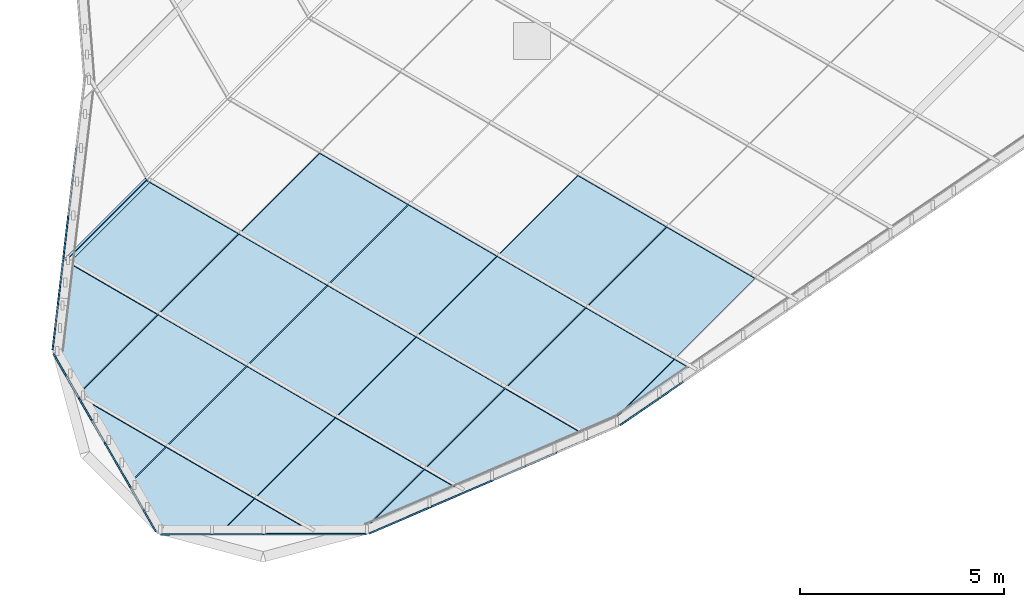
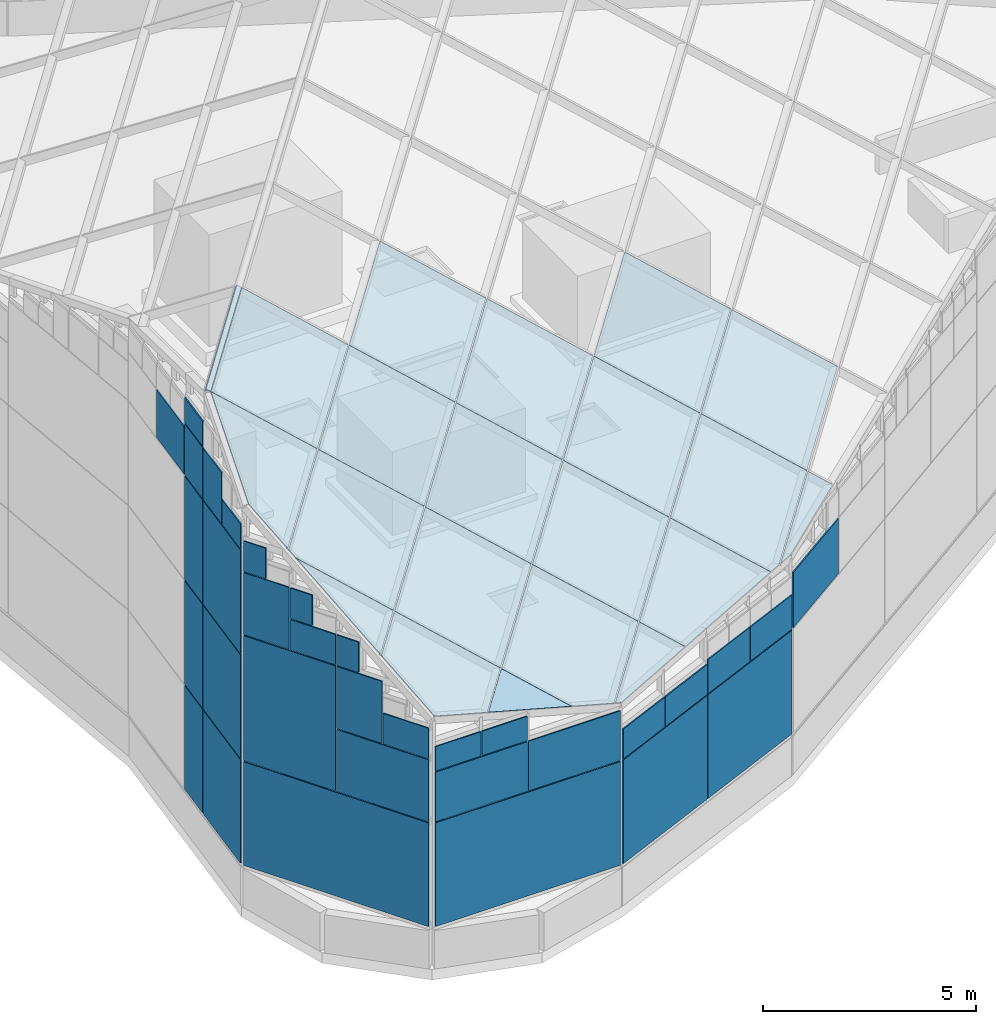
# One storey, part 14 of 29: 55 plates, 1 element without a shape of its own.
"""IFC4 building model written with IfcOpenShell, lengths in metres."""

from ifc_helpers import new_model, si_unit, direction, frame, origin, place, context, subcontext, project, spatial, polyline, outline, extrude, material, layer, layer_set, type_object, element, aggregate, save


model = new_model("IFC4")

# Units and contexts
model_context = context("Model", 3, precision=1e-05, world=origin(), true_north=direction((0.0, 1.0)))
body_context = subcontext(model_context, "Body", "Model", "MODEL_VIEW")
ifc_project = project(units=[si_unit("LENGTHUNIT", "METRE"), si_unit("AREAUNIT", "SQUARE_METRE"), si_unit("VOLUMEUNIT", "CUBIC_METRE"), si_unit("PLANEANGLEUNIT", "RADIAN"), si_unit("MASSUNIT", "GRAM", prefix="KILO")], contexts=[model_context])

# Site, building, storey
site_placement = place(None, origin())
site = spatial("IfcSite", under=ifc_project, at=site_placement, CompositionType="ELEMENT")
building_placement = place(site_placement, origin())
building = spatial("IfcBuilding", under=site, at=building_placement, Name="Tanit Gate Tower", CompositionType="ELEMENT")
storey_placement = place(building_placement, frame((0.0, 0.0, 445.300048828125)))
storey = spatial("IfcBuildingStorey", under=building, at=storey_placement, Name="ROOF", CompositionType="ELEMENT", Elevation=445.300048828125)

# Curtain wall, plates
ifc_material_1 = material(Name="Aluminium bronze anodised and glass", Category="aluminium")
curtain_wall_type = type_object("IfcCurtainWallType", Name="Curtain wall crown roof", PredefinedType="NOTDEFINED", material=ifc_material_1)
curtain_wall_placement = place(storey_placement, origin())
curtain_wall = element("IfcCurtainWall", 1, at=curtain_wall_placement, inside=storey, type_object=curtain_wall_type, Name="Crown lantern", PredefinedType="NOTDEFINED")
ifc_material_2 = material(Name="Glass tinted laminated safety", Category="glass")
ifc_layer = layer(ifc_material_2, 0.033935546875)
ifc_layer_set = layer_set([ifc_layer], Name="Glass panel 34 crown roof")
plate_type = type_object("IfcPlateType", Name="Glass panel 34 crown roof", PredefinedType="CURTAIN_PANEL", material=ifc_layer_set)
plate_1_placement = place(storey_placement, frame((-14.1650390625, -11.6103515625, 10.21484375), z_axis=(-0.993213563532, 0.116304846052, 0.0), x_axis=(-0.116304846052, -0.993213563532, 0.0)))
plate_1 = element("IfcPlate", 2, at=plate_1_placement, type_object=plate_type, Name="Lantern clerestory glass 18.4.4", PredefinedType="CURTAIN_PANEL", context=body_context, shape_type="SweptSolid", body=[
    extrude(outline(polyline([(0.0, 0.0), (1.6373323551294396, 0.0), (1.6373323551294396, 1.3732910156250002), (0.0, 1.3732910156250002), (0.0, 0.0)])), origin(), (0.0, 0.0, -1.0), 0.033935546875),
])
plate_2_placement = place(storey_placement, frame((-14.359130859375, -13.266357421875, 1.21484375), z_axis=(-0.993206997666, 0.116360903176, 0.0), x_axis=(-0.116360903176, -0.993206997666, 0.0)))
plate_2 = element("IfcPlate", 3, at=plate_2_placement, type_object=plate_type, Name="Lantern clerestory glass 19.1.1", PredefinedType="CURTAIN_PANEL", context=body_context, shape_type="SweptSolid", body=[
    extrude(outline(polyline([(0.0, 0.0), (1.0616551855285912, 0.0), (1.0616551855285912, 2.97021484375), (0.0, 2.97021484375), (0.0, 0.0)])), origin(), (0.0, 0.0, -1.0), 0.033935546875),
])
plate_3_placement = place(storey_placement, frame((-14.359130859375, -13.266357421875, 4.21484375), z_axis=(-0.993206997666, 0.116360903176, 0.0), x_axis=(-0.116360903176, -0.993206997666, 0.0)))
plate_3 = element("IfcPlate", 4, at=plate_3_placement, type_object=plate_type, Name="Lantern clerestory glass 19.2.1", PredefinedType="CURTAIN_PANEL", context=body_context, shape_type="SweptSolid", body=[
    extrude(outline(polyline([(0.0, 0.0), (1.0616551855285912, 0.0), (1.0616551855285912, 2.97021484375), (0.0, 2.97021484375), (0.0, 0.0)])), origin(), (0.0, 0.0, -1.0), 0.033935546875),
])
plate_4_placement = place(storey_placement, frame((-14.359130859375, -13.266357421875, 7.21484375), z_axis=(-0.993206997666, 0.116360903176, 0.0), x_axis=(-0.116360903176, -0.993206997666, 0.0)))
plate_4 = element("IfcPlate", 5, at=plate_4_placement, type_object=plate_type, Name="Lantern clerestory glass 19.3.1", PredefinedType="CURTAIN_PANEL", context=body_context, shape_type="SweptSolid", body=[
    extrude(outline(polyline([(0.0, 0.0), (1.0616551855285912, 0.0), (1.0616551855285912, 2.97021484375), (0.0, 2.97021484375), (0.0, 0.0)])), origin(), (0.0, 0.0, -1.0), 0.033935546875),
])
plate_5_placement = place(storey_placement, frame((-14.359130859375, -13.266357421875, 10.21484375), z_axis=(-0.993206997666, 0.116360903176, 0.0), x_axis=(-0.116360903176, -0.993206997666, 0.0)))
plate_5 = element("IfcPlate", 6, at=plate_5_placement, type_object=plate_type, Name="Lantern clerestory glass 19.4.1", PredefinedType="CURTAIN_PANEL", context=body_context, shape_type="SweptSolid", body=[
    extrude(outline(polyline([(0.0, 0.0), (1.0616551855285912, 0.0), (1.0616551855285912, 1.47021484375), (0.0, 1.47021484375), (0.0, 0.0)])), origin(), (0.0, 0.0, -1.0), 0.033935546875),
])
plate_6_placement = place(storey_placement, frame((-14.359130859375, -13.266357421875, 11.71484375), z_axis=(-0.993206997666, 0.116360903176, 0.0), x_axis=(-0.116360903176, -0.993206997666, 0.0)))
plate_6 = element("IfcPlate", 7, at=plate_6_placement, type_object=plate_type, Name="Lantern clerestory glass 19.4.2", PredefinedType="CURTAIN_PANEL", context=body_context, shape_type="SweptSolid", body=[
    extrude(outline(polyline([(0.0, 0.0), (1.0616551855285912, 0.0), (1.0616551855285912, 0.72021484375), (0.0, 0.72021484375), (0.0, 0.0)])), origin(), (0.0, 0.0, -1.0), 0.033935546875),
])
plate_7_placement = place(storey_placement, frame((-14.486083984375, -14.3505859375, 1.21484375), z_axis=(-0.993216712277, 0.116277953431, 0.0), x_axis=(-0.116277953431, -0.993216712277, 0.0)))
plate_7 = element("IfcPlate", 8, at=plate_7_placement, type_object=plate_type, Name="Lantern clerestory glass 20.1.1", PredefinedType="CURTAIN_PANEL", context=body_context, shape_type="SweptSolid", body=[
    extrude(outline(polyline([(0.0, 0.0), (2.2130095272324546, 0.0), (2.2130095272324546, 2.97021484375), (0.0, 2.97021484375), (0.0, 0.0)])), origin(), (0.0, 0.0, -1.0), 0.033935546875),
])
plate_8_placement = place(storey_placement, frame((-14.486083984375, -14.3505859375, 4.21484375), z_axis=(-0.993216712277, 0.116277953431, 0.0), x_axis=(-0.116277953431, -0.993216712277, 0.0)))
plate_8 = element("IfcPlate", 9, at=plate_8_placement, type_object=plate_type, Name="Lantern clerestory glass 20.2.1", PredefinedType="CURTAIN_PANEL", context=body_context, shape_type="SweptSolid", body=[
    extrude(outline(polyline([(0.0, 0.0), (2.2130095272324546, 0.0), (2.2130095272324546, 2.97021484375), (0.0, 2.97021484375), (0.0, 0.0)])), origin(), (0.0, 0.0, -1.0), 0.033935546875),
])
plate_9_placement = place(storey_placement, frame((-14.486083984375, -14.3505859375, 7.21484375), z_axis=(-0.993216712277, 0.116277953431, 0.0), x_axis=(-0.116277953431, -0.993216712277, 0.0)))
plate_9 = element("IfcPlate", 10, at=plate_9_placement, type_object=plate_type, Name="Lantern clerestory glass 20.3.1", PredefinedType="CURTAIN_PANEL", context=body_context, shape_type="SweptSolid", body=[
    extrude(outline(polyline([(0.0, 0.0), (2.2130095272324546, 0.0), (2.2130095272324546, 2.97021484375), (0.0, 2.97021484375), (0.0, 0.0)])), origin(), (0.0, 0.0, -1.0), 0.033935546875),
])
plate_10_placement = place(storey_placement, frame((-14.486083984375, -14.3505859375, 10.21484375), z_axis=(-0.993211546117, 0.116322072969, 0.0), x_axis=(-0.116322072969, -0.993211546117, 0.0)))
plate_10 = element("IfcPlate", 11, at=plate_10_placement, type_object=plate_type, Name="Lantern clerestory glass 20.4.1", PredefinedType="CURTAIN_PANEL", context=body_context, shape_type="SweptSolid", body=[
    extrude(outline(polyline([(0.0, 0.0), (1.0913932477303525, 0.0), (1.0913932477303525, 1.47021484375), (0.0, 1.47021484375), (0.0, 0.0)])), origin(), (0.0, 0.0, -1.0), 0.033935546875),
])
plate_11_placement = place(storey_placement, frame((-14.616455078125, -15.464599609375, 10.21484375), z_axis=(-0.993211546117, 0.116322072969, 0.0), x_axis=(-0.116322072969, -0.993211546117, 0.0)))
plate_11 = element("IfcPlate", 12, at=plate_11_placement, type_object=plate_type, Name="Lantern clerestory glass 20.4.2", PredefinedType="CURTAIN_PANEL", context=body_context, shape_type="SweptSolid", body=[
    extrude(outline(polyline([(0.0, 0.0), (1.0913932477303525, 0.0), (1.0913932477303525, 0.7202148437500001), (0.0, 0.7202148437500001), (0.0, 0.0)])), origin(), (0.0, 0.0, -1.0), 0.033935546875),
])
plate_12_placement = place(storey_placement, frame((-14.720703125, -16.6591796875, 1.21484375), z_axis=(-0.866254518353, -0.499602951786, 0.0), x_axis=(0.499602951786, -0.866254518353, 0.0)))
plate_12 = element("IfcPlate", 13, at=plate_12_placement, type_object=plate_type, Name="Lantern clerestory glass 21.1.1", PredefinedType="CURTAIN_PANEL", context=body_context, shape_type="SweptSolid", body=[
    extrude(outline(polyline([(0.0, 0.0), (5.011303677098957, 0.0), (5.011303677098957, 2.9702148437500004), (0.0, 2.9702148437500004), (0.0, 0.0)])), origin(), (0.0, 0.0, -1.0), 0.033935546875),
])
plate_13_placement = place(storey_placement, frame((-14.720703125, -16.6591796875, 4.21484375), z_axis=(-0.866239434465, -0.499629104614, 0.0), x_axis=(0.499629104614, -0.866239434465, 0.0)))
plate_13 = element("IfcPlate", 14, at=plate_13_placement, type_object=plate_type, Name="Lantern clerestory glass 21.2.1", PredefinedType="CURTAIN_PANEL", context=body_context, shape_type="SweptSolid", body=[
    extrude(outline(polyline([(0.0, 0.0), (2.4906170479947876, 0.0), (2.4906170479947876, 3.582275390625), (0.0, 3.582275390625), (0.0, 0.0)])), origin(), (0.0, 0.0, -1.0), 0.033935546875),
])
plate_14_placement = place(storey_placement, frame((-13.46142578125, -18.8427734375, 4.21484375), z_axis=(-0.866239434465, -0.499629104614, 0.0), x_axis=(0.499629104614, -0.866239434465, 0.0)))
plate_14 = element("IfcPlate", 15, at=plate_14_placement, type_object=plate_type, Name="Lantern clerestory glass 21.2.2", PredefinedType="CURTAIN_PANEL", context=body_context, shape_type="SweptSolid", body=[
    extrude(outline(polyline([(0.0, 0.0), (2.4906170479947876, 0.0), (2.4906170479947876, 1.776123046875), (0.0, 1.776123046875), (0.0, 0.0)])), origin(), (0.0, 0.0, -1.0), 0.033935546875),
])
plate_15_placement = place(storey_placement, frame((-13.46142578125, -18.8427734375, 6.02099609375), z_axis=(-0.866208711243, -0.499682367677, 0.0), x_axis=(0.499682367677, -0.866208711243, 0.0)))
plate_15 = element("IfcPlate", 16, at=plate_15_placement, type_object=plate_type, Name="Lantern clerestory glass 21.2.3", PredefinedType="CURTAIN_PANEL", context=body_context, shape_type="SweptSolid", body=[
    extrude(outline(polyline([(0.0, 0.0), (1.2302737369103984, 0.0), (1.2302737369103984, 1.7761230468750004), (0.0, 1.7761230468750004), (0.0, 0.0)])), origin(), (0.0, 0.0, -1.0), 0.033935546875),
])
plate_16_placement = place(storey_placement, frame((-12.831787109375, -19.9345703125, 6.02099609375), z_axis=(-0.866208711243, -0.499682367677, 0.0), x_axis=(0.499682367677, -0.866208711243, 0.0)))
plate_16 = element("IfcPlate", 17, at=plate_16_placement, type_object=plate_type, Name="Lantern clerestory glass 21.2.4", PredefinedType="CURTAIN_PANEL", context=body_context, shape_type="SweptSolid", body=[
    extrude(outline(polyline([(0.0, 0.0), (1.2302737369103984, 0.0), (1.2302737369103984, 0.873046875), (0.0, 0.873046875), (0.0, 0.0)])), origin(), (0.0, 0.0, -1.0), 0.033935546875),
])
plate_17_placement = place(storey_placement, frame((-14.720703125, -16.6591796875, 7.826904296875), z_axis=(-0.866208711243, -0.499682367677, 0.0), x_axis=(0.499682367677, -0.866208711243, 0.0)))
plate_17 = element("IfcPlate", 18, at=plate_17_placement, type_object=plate_type, Name="Lantern clerestory glass 21.2.6", PredefinedType="CURTAIN_PANEL", context=body_context, shape_type="SweptSolid", body=[
    extrude(outline(polyline([(0.0, 0.0), (1.2302737369103984, 0.0), (1.2302737369103984, 1.7761230468750004), (0.0, 1.7761230468750004), (0.0, 0.0)])), origin(), (0.0, 0.0, -1.0), 0.033935546875),
])
plate_18_placement = place(storey_placement, frame((-14.091064453125, -17.7509765625, 7.826904296875), z_axis=(-0.866208711243, -0.499682367677, 0.0), x_axis=(0.499682367677, -0.866208711243, 0.0)))
plate_18 = element("IfcPlate", 19, at=plate_18_placement, type_object=plate_type, Name="Lantern clerestory glass 21.2.7", PredefinedType="CURTAIN_PANEL", context=body_context, shape_type="SweptSolid", body=[
    extrude(outline(polyline([(0.0, 0.0), (1.2302737369103984, 0.0), (1.2302737369103984, 0.873046875), (0.0, 0.873046875), (0.0, 0.0)])), origin(), (0.0, 0.0, -1.0), 0.033935546875),
])
plate_19_placement = place(storey_placement, frame((-14.091064453125, -17.7509765625, 8.72998046875), z_axis=(-0.866232998003, -0.499640263761, 0.0), x_axis=(0.499640263761, -0.866232998003, 0.0)))
plate_19 = element("IfcPlate", 20, at=plate_19_placement, type_object=plate_type, Name="Lantern clerestory glass 21.2.8", PredefinedType="CURTAIN_PANEL", context=body_context, shape_type="SweptSolid", body=[
    extrude(outline(polyline([(0.0, 0.0), (0.6000410880484303, 0.0), (0.6000410880484303, 0.873046875), (0.0, 0.873046875), (0.0, 0.0)])), origin(), (0.0, 0.0, -1.0), 0.033935546875),
])
plate_20_placement = place(storey_placement, frame((-14.720703125, -16.6591796875, 9.633056640625), z_axis=(-0.866232998003, -0.499640263761, 0.0), x_axis=(0.499640263761, -0.866232998003, 0.0)))
plate_20 = element("IfcPlate", 21, at=plate_20_placement, type_object=plate_type, Name="Lantern clerestory glass 21.2.10", PredefinedType="CURTAIN_PANEL", context=body_context, shape_type="SweptSolid", body=[
    extrude(outline(polyline([(0.0, 0.0), (0.6000410880484303, 0.0), (0.6000410880484303, 0.873046875), (0.0, 0.873046875), (0.0, 0.0)])), origin(), (0.0, 0.0, -1.0), 0.033935546875),
])
plate_21_placement = place(storey_placement, frame((-13.46142578125, -18.8427734375, 7.826904296875), z_axis=(-0.866232998003, -0.499640263761, 0.0), x_axis=(0.499640263761, -0.866232998003, 0.0)))
plate_21 = element("IfcPlate", 22, at=plate_21_placement, type_object=plate_type, Name="Lantern clerestory glass 21.2.12", PredefinedType="CURTAIN_PANEL", context=body_context, shape_type="SweptSolid", body=[
    extrude(outline(polyline([(0.0, 0.0), (0.6000410880484303, 0.0), (0.6000410880484303, 0.873046875), (0.0, 0.873046875), (0.0, 0.0)])), origin(), (0.0, 0.0, -1.0), 0.033935546875),
])
plate_22_placement = place(storey_placement, frame((-12.078369140625, -21.080322265625, 1.21484375), z_axis=(0.001165953347, -0.999999320276, 0.0), x_axis=(0.999999320276, 0.001165953347, 0.0)))
plate_22 = element("IfcPlate", 23, at=plate_22_placement, type_object=plate_type, Name="Lantern clerestory glass 22.1.1", PredefinedType="CURTAIN_PANEL", context=body_context, shape_type="SweptSolid", body=[
    extrude(outline(polyline([(0.0, 0.0), (5.025394040880106, 0.0), (5.025394040880106, 2.97021484375), (0.0, 2.97021484375), (0.0, 0.0)])), origin(), (0.0, 0.0, -1.0), 0.033935546875),
])
plate_23_placement = place(storey_placement, frame((-12.078369140625, -21.080322265625, 4.21484375), z_axis=(0.001172905068, -0.999999312147, 0.0), x_axis=(0.999999312147, 0.001172905068, 0.0)))
plate_23 = element("IfcPlate", 24, at=plate_23_placement, type_object=plate_type, Name="Lantern clerestory glass 22.2.1", PredefinedType="CURTAIN_PANEL", context=body_context, shape_type="SweptSolid", body=[
    extrude(outline(polyline([(0.0, 0.0), (2.4978044524982486, 0.0), (2.4978044524982486, 1.424072265625), (0.0, 1.424072265625), (0.0, 0.0)])), origin(), (0.0, 0.0, -1.0), 0.033935546875),
])
plate_24_placement = place(storey_placement, frame((-12.078369140625, -21.080322265625, 5.6689453125), z_axis=(0.001187177636, -0.999999295304, 0.0), x_axis=(0.999999295304, 0.001187177636, 0.0)))
plate_24 = element("IfcPlate", 25, at=plate_24_placement, type_object=plate_type, Name="Lantern clerestory glass 22.2.2", PredefinedType="CURTAIN_PANEL", context=body_context, shape_type="SweptSolid", body=[
    extrude(outline(polyline([(0.0, 0.0), (1.2338875882651765, 0.0), (1.2338875882651765, 0.6970214843750001), (0.0, 0.6970214843750001), (0.0, 0.0)])), origin(), (0.0, 0.0, -1.0), 0.033935546875),
])
plate_25_placement = place(storey_placement, frame((-10.814453125, -21.078857421875, 5.6689453125), z_axis=(0.001187177636, -0.999999295304, 0.0), x_axis=(0.999999295304, 0.001187177636, 0.0)))
plate_25 = element("IfcPlate", 26, at=plate_25_placement, type_object=plate_type, Name="Lantern clerestory glass 22.2.3", PredefinedType="CURTAIN_PANEL", context=body_context, shape_type="SweptSolid", body=[
    extrude(outline(polyline([(0.0, 0.0), (1.2338875882651765, 0.0), (1.2338875882651765, 0.6970214843750001), (0.0, 0.6970214843750001), (0.0, 0.0)])), origin(), (0.0, 0.0, -1.0), 0.033935546875),
])
plate_26_placement = place(storey_placement, frame((-9.550537109375, -21.077392578125, 4.21484375), z_axis=(0.001173019721, -0.999999312012, 0.0), x_axis=(0.999999312012, 0.001173019721, 0.0)))
plate_26 = element("IfcPlate", 27, at=plate_26_placement, type_object=plate_type, Name="Lantern clerestory glass 22.2.4", PredefinedType="CURTAIN_PANEL", context=body_context, shape_type="SweptSolid", body=[
    extrude(outline(polyline([(0.0, 0.0), (2.4975603120411978, 0.0), (2.4975603120411978, 1.424072265625), (0.0, 1.424072265625), (0.0, 0.0)])), origin(), (0.0, 0.0, -1.0), 0.033935546875),
])
plate_27_placement = place(storey_placement, frame((-6.97119140625, -21.057373046875, 1.21484375), z_axis=(0.395891739309, -0.918297190863, 0.0), x_axis=(0.918297190863, 0.395891739309, 0.0)))
plate_27 = element("IfcPlate", 28, at=plate_27_placement, type_object=plate_type, Name="Lantern clerestory glass 23.1.1", PredefinedType="CURTAIN_PANEL", context=body_context, shape_type="SweptSolid", body=[
    extrude(outline(polyline([(0.0, 0.0), (3.2998831616294275, 0.0), (3.2998831616294275, 2.97021484375), (0.0, 2.97021484375), (0.0, 0.0)])), origin(), (0.0, 0.0, -1.0), 0.033935546875),
])
plate_28_placement = place(storey_placement, frame((-6.97119140625, -21.057373046875, 4.21484375), z_axis=(0.395901002731, -0.918293197207, 0.0), x_axis=(0.918293197207, 0.395901002731, 0.0)))
plate_28 = element("IfcPlate", 29, at=plate_28_placement, type_object=plate_type, Name="Lantern clerestory glass 23.2.1", PredefinedType="CURTAIN_PANEL", context=body_context, shape_type="SweptSolid", body=[
    extrude(outline(polyline([(0.0, 0.0), (1.634794538053102, 0.0), (1.634794538053102, 0.85546875), (0.0, 0.85546875), (0.0, 0.0)])), origin(), (0.0, 0.0, -1.0), 0.033935546875),
])
plate_29_placement = place(storey_placement, frame((-5.4423828125, -20.3984375, 4.21484375), z_axis=(0.395972627361, -0.918262314582, 0.0), x_axis=(0.918262314582, 0.395972627361, 0.0)))
plate_29 = element("IfcPlate", 30, at=plate_29_placement, type_object=plate_type, Name="Lantern clerestory glass 23.2.2", PredefinedType="CURTAIN_PANEL", context=body_context, shape_type="SweptSolid", body=[
    extrude(outline(polyline([(0.0, 0.0), (1.6351153912203231, 0.0), (1.6351153912203231, 0.85546875), (0.0, 0.85546875), (0.0, 0.0)])), origin(), (0.0, 0.0, -1.0), 0.033935546875),
])
plate_30_placement = place(storey_placement, frame((-3.913330078125, -19.7392578125, 1.21484375), z_axis=(0.395864844131, -0.918308785312, 0.0), x_axis=(0.918308785312, 0.395864844131, 0.0)))
plate_30 = element("IfcPlate", 31, at=plate_30_placement, type_object=plate_type, Name="Lantern clerestory glass 24.1.1", PredefinedType="CURTAIN_PANEL", context=body_context, shape_type="SweptSolid", body=[
    extrude(outline(polyline([(0.0, 0.0), (3.3001073566949266, 0.0), (3.3001073566949266, 2.97021484375), (0.0, 2.97021484375), (0.0, 0.0)])), origin(), (0.0, 0.0, -1.0), 0.033935546875),
])
plate_31_placement = place(storey_placement, frame((-3.913330078125, -19.7392578125, 4.21484375), z_axis=(0.395846716359, -0.918316599626, 0.0), x_axis=(0.918316599626, 0.395846716359, 0.0)))
plate_31 = element("IfcPlate", 32, at=plate_31_placement, type_object=plate_type, Name="Lantern clerestory glass 24.2.1", PredefinedType="CURTAIN_PANEL", context=body_context, shape_type="SweptSolid", body=[
    extrude(outline(polyline([(0.0, 0.0), (1.6350187335851376, 0.0), (1.6350187335851376, 0.98095703125), (0.0, 0.98095703125), (0.0, 0.0)])), origin(), (0.0, 0.0, -1.0), 0.033935546875),
])
plate_32_placement = place(storey_placement, frame((-2.38427734375, -19.080078125, 4.21484375), z_axis=(0.395846716359, -0.918316599626, 0.0), x_axis=(0.918316599626, 0.395846716359, 0.0)))
plate_32 = element("IfcPlate", 33, at=plate_32_placement, type_object=plate_type, Name="Lantern clerestory glass 24.2.4", PredefinedType="CURTAIN_PANEL", context=body_context, shape_type="SweptSolid", body=[
    extrude(outline(polyline([(0.0, 0.0), (1.6350187335851376, 0.0), (1.6350187335851376, 0.98095703125), (0.0, 0.98095703125), (0.0, 0.0)])), origin(), (0.0, 0.0, -1.0), 0.033935546875),
])
plate_33_placement = place(storey_placement, frame((-0.833984375, -18.40576171875, 4.21484375), z_axis=(0.565868893636, -0.824495236624, 0.0), x_axis=(0.824495236624, 0.565868893636, 0.0)))
plate_33 = element("IfcPlate", 34, at=plate_33_placement, type_object=plate_type, Name="Lantern clerestory glass 25.2.1", PredefinedType="CURTAIN_PANEL", context=body_context, shape_type="SweptSolid", body=[
    extrude(outline(polyline([(0.0, 0.0), (2.4657013092029496, 0.0), (2.4657013092029496, 1.58544921875), (0.0, 1.58544921875), (0.0, 0.0)])), origin(), (0.0, 0.0, -1.0), 0.033935546875),
])
plate_34_placement = place(storey_placement, frame((-12.460205078125, -12.350830078125, 14.395263671875), z_axis=(-0.624483772663, 0.207408873625, 0.752995070915), x_axis=(-0.658386892155, -0.658447216204, -0.364655952524)))
plate_34 = element("IfcPlate", 35, at=plate_34_placement, type_object=plate_type, Name="Lantern roof glass E1.1.1", PredefinedType="CURTAIN_PANEL", context=body_context, shape_type="SweptSolid", body=[
    extrude(outline(polyline([(0.0, 0.0), (2.9958976064932905, 1.1102230246251565e-16), (2.99597151992278, 0.058333677201745426), (-8.682555785304719e-05, 0.05843625889800637), (0.0, 0.0)])), origin(), (0.0, 0.0, -1.0), 0.033935546875),
])
plate_35_placement = place(storey_placement, frame((-12.79833984375, -19.755615234375, 8.4677734375), z_axis=(0.20736037383, -0.624522837134, 0.752976029674), x_axis=(0.658388453567, 0.658388453567, 0.364759219786)))
plate_35 = element("IfcPlate", 36, at=plate_35_placement, type_object=plate_type, Name="Lantern roof glass W1.2.1", PredefinedType="CURTAIN_PANEL", context=body_context, shape_type="SweptSolid", body=[
    extrude(outline(polyline([(0.0, 0.0), (1.259660157512824, 0.0), (1.2597076175030073, 2.7172862635712973), (0.0, 0.0)])), origin(), (0.0, 0.0, -1.0), 0.033935546875),
])
plate_36_placement = place(storey_placement, frame((-11.948974609375, -18.93798828125, 8.911865234375), z_axis=(0.207454486681, -0.624517754575, 0.75295432144), x_axis=(-0.65830580713, -0.658465361956, -0.364769559316)))
plate_36 = element("IfcPlate", 37, at=plate_36_placement, type_object=plate_type, Name="Lantern roof glass W1.3.1", PredefinedType="CURTAIN_PANEL", context=body_context, shape_type="SweptSolid", body=[
    extrude(outline(polyline([(0.0, 0.0), (1.272443183289647, 1.1102230246251565e-16), (2.073323389390965, 1.7269705019896038), (1.2766747184991405, 2.971950217020897), (0.00032171224711996516, 2.9720657518622104), (0.0, 0.0)])), origin(), (0.0, 0.0, -1.0), 0.033935546875),
])
plate_37_placement = place(storey_placement, frame((-9.7783203125, -20.1982421875, 7.2685546875), z_axis=(0.20741841514, -0.624463290657, 0.753009428681), x_axis=(-0.658294278851, -0.658488294258, -0.364748966767)))
plate_37 = element("IfcPlate", 38, at=plate_37_placement, type_object=plate_type, Name="Lantern roof glass W1.4.1", PredefinedType="CURTAIN_PANEL", context=body_context, shape_type="SweptSolid", body=[
    extrude(outline(polyline([(0.0, 0.0), (1.258356888763213, 5.551115123125783e-17), (0.00040153042294505115, 1.9656491048433349), (0.0, 0.0)])), origin(), (0.0, 0.0, -1.0), 0.033935546875),
])
plate_38_placement = place(storey_placement, frame((-14.05322265625, -17.57958984375, 10.6181640625), z_axis=(0.207477904154, -0.624510274522, 0.752954073171), x_axis=(0.658387159339, 0.658428344217, 0.364689544612)))
plate_38 = element("IfcPlate", 39, at=plate_38_placement, type_object=plate_type, Name="Lantern roof glass W2.1.1", PredefinedType="CURTAIN_PANEL", context=body_context, shape_type="SweptSolid", body=[
    extrude(outline(polyline([(0.0, 0.0), (2.8689601902390294, 3.3306690738754696e-16), (2.8689605712317263, 2.98187396381112), (0.5862908407279189, 1.2647753231208205), (0.0, 0.0)])), origin(), (0.0, 0.0, -1.0), 0.033935546875),
])
plate_39_placement = place(storey_placement, frame((-11.966552734375, -18.923583984375, 8.9287109375), z_axis=(0.207447255822, -0.624491173516, 0.752978359751), x_axis=(0.658419477846, 0.658410210959, 0.364663934736)))
plate_39 = element("IfcPlate", 40, at=plate_39_placement, type_object=plate_type, Name="Lantern roof glass W2.2.1", PredefinedType="CURTAIN_PANEL", context=body_context, shape_type="SweptSolid", body=[
    extrude(outline(polyline([(0.0, 0.0), (2.996058348020706, 4.440892098500626e-16), (2.9960555634199513, 2.9718891306896884), (0.11415161311829858, 2.971811341565666), (4.2573831793291106e-05, 2.725915312468528), (0.0, 0.0)])), origin(), (0.0, 0.0, -1.0), 0.033935546875),
])
plate_40_placement = place(storey_placement, frame((-9.7958984375, -20.183837890625, 7.285400390625), z_axis=(0.207431984172, -0.624488397368, 0.752984869367), x_axis=(0.658402804614, 0.658416942451, 0.364681884347)))
plate_40 = element("IfcPlate", 41, at=plate_40_placement, type_object=plate_type, Name="Lantern roof glass W2.3.1", PredefinedType="CURTAIN_PANEL", context=body_context, shape_type="SweptSolid", body=[
    extrude(outline(polyline([(0.0, 0.0), (2.9957368576623358, 0.0), (2.9959682944850003, 2.9719916971389386), (-9.005237339620997e-05, 2.972065768656991), (0.0, 0.0)])), origin(), (0.0, 0.0, -1.0), 0.033935546875),
])
plate_41_placement = place(storey_placement, frame((-7.80322265625, -18.22314453125, 8.362548828125), z_axis=(0.207513849093, -0.624481960778, 0.752967650764), x_axis=(-0.658367275209, -0.658463708836, -0.364661589805)))
plate_41 = element("IfcPlate", 42, at=plate_41_placement, type_object=plate_type, Name="Lantern roof glass W2.4.1", PredefinedType="CURTAIN_PANEL", context=body_context, shape_type="SweptSolid", body=[
    extrude(outline(polyline([(0.0, 0.0), (2.9958976069800047, 2.220446049250313e-16), (2.9960417105760904, 1.9717265076673516), (2.355742017560565, 2.9719905197894727), (0.00010072982245856732, 2.9721995019558833), (0.0, 0.0)])), origin(), (0.0, 0.0, -1.0), 0.033935546875),
])
plate_42_placement = place(storey_placement, frame((-5.632568359375, -19.4833984375, 6.71923828125), z_axis=(0.20749443493, -0.62456613167, 0.752903185439), x_axis=(-0.658426478071, -0.658383109132, -0.364700225643)))
plate_42 = element("IfcPlate", 43, at=plate_42_placement, type_object=plate_type, Name="Lantern roof glass W2.5.1", PredefinedType="CURTAIN_PANEL", context=body_context, shape_type="SweptSolid", body=[
    extrude(outline(polyline([(0.0, 0.0), (2.337894930484218, -2.220446049250313e-16), (2.247684275199286, 0.1409927220892611), (7.913014650667849e-05, 1.2911362271861537), (0.0, 0.0)])), origin(), (0.0, 0.0, -1.0), 0.033935546875),
])
plate_43_placement = place(storey_placement, frame((-12.44677734375, -12.404296875, 14.4677734375), z_axis=(0.206653723736, -0.624044951589, 0.753566279011), x_axis=(-0.658422421631, -0.658401300402, -0.364674707545)))
plate_43 = element("IfcPlate", 44, at=plate_43_placement, type_object=plate_type, Name="Lantern roof glass W3.1.1", PredefinedType="CURTAIN_PANEL", context=body_context, shape_type="SweptSolid", body=[
    extrude(outline(polyline([(0.0, 0.0), (2.996058347238137, 1.1102230246251565e-16), (2.995976284965573, 0.1325217688106507), (7.868023241717689e-05, 0.1326245040518663), (0.0, 0.0)])), origin(), (0.0, 0.0, -1.0), 0.033935546875),
])
plate_44_placement = place(storey_placement, frame((-12.16162109375, -15.68798828125, 11.666015625), z_axis=(0.207465785393, -0.624499226971, 0.752966575223), x_axis=(0.658376281219, 0.658436602903, 0.364694272351)))
plate_44 = element("IfcPlate", 45, at=plate_44_placement, type_object=plate_type, Name="Lantern roof glass W3.1.2", PredefinedType="CURTAIN_PANEL", context=body_context, shape_type="SweptSolid", body=[
    extrude(outline(polyline([(0.0, 0.0), (2.9958976064932425, 0.0), (2.995902542497502, 2.983910148947766), (0.00016568712801490193, 2.9840127060156463), (0.0, 0.0)])), origin(), (0.0, 0.0, -1.0), 0.033935546875),
])
plate_45_placement = place(storey_placement, frame((-9.9912109375, -16.9482421875, 10.022705078125), z_axis=(0.207431984172, -0.624488397368, 0.752984869367), x_axis=(0.65844546253, 0.658392170723, 0.364649588515)))
plate_45 = element("IfcPlate", 46, at=plate_45_placement, type_object=plate_type, Name="Lantern roof glass W3.2.1", PredefinedType="CURTAIN_PANEL", context=body_context, shape_type="SweptSolid", body=[
    extrude(outline(polyline([(0.0, 0.0), (2.995897605741961, 1.1102230246251565e-16), (2.9957930587458526, 2.972168336180223), (-0.00010453398541310222, 2.9718891276199906), (0.0, 0.0)])), origin(), (0.0, 0.0, -1.0), 0.033935546875),
])
plate_46_placement = place(storey_placement, frame((-7.82080078125, -18.208740234375, 8.379150390625), z_axis=(0.207512645532, -0.624517550137, 0.752938464627), x_axis=(0.658417167069, 0.658417167069, 0.364655547356)))
plate_46 = element("IfcPlate", 47, at=plate_46_placement, type_object=plate_type, Name="Lantern roof glass W3.3.1", PredefinedType="CURTAIN_PANEL", context=body_context, shape_type="SweptSolid", body=[
    extrude(outline(polyline([(0.0, 0.0), (2.9960583482065744, 0.0), (2.996144590230284, 2.9720228713480514), (8.62420237096595e-05, 2.9720228713480514), (0.0, 0.0)])), origin(), (0.0, 0.0, -1.0), 0.033935546875),
])
plate_47_placement = place(storey_placement, frame((-5.650146484375, -19.468994140625, 6.73583984375), z_axis=(0.207512046121, -0.624508403024, 0.752946216716), x_axis=(0.658372756476, 0.658447213181, 0.364681478806)))
plate_47 = element("IfcPlate", 48, at=plate_47_placement, type_object=plate_type, Name="Lantern roof glass W3.4.1", PredefinedType="CURTAIN_PANEL", context=body_context, shape_type="SweptSolid", body=[
    extrude(outline(polyline([(0.0, 0.0), (2.995897607356053, 0.0), (2.996159073195665, 2.9720228609900623), (0.00010073030336354982, 2.9721995020999286), (0.0, 0.0)])), origin(), (0.0, 0.0, -1.0), 0.033935546875),
])
plate_48_placement = place(storey_placement, frame((-3.657470703125, -17.50830078125, 7.813232421875), z_axis=(0.207445911584, -0.624551445384, 0.752928738883), x_axis=(-0.658413760298, -0.65838396016, -0.364721649008)))
plate_48 = element("IfcPlate", 49, at=plate_48_placement, type_object=plate_type, Name="Lantern roof glass W3.5.1", PredefinedType="CURTAIN_PANEL", context=body_context, shape_type="SweptSolid", body=[
    extrude(outline(polyline([(0.0, 0.0), (2.995736856173311, 0.0), (2.995806438037838, 1.2931724163341494), (-0.00011046914898915627, 2.826284174104072), (0.0, 0.0)])), origin(), (0.0, 0.0, -1.0), 0.033935546875),
])
plate_49_placement = place(storey_placement, frame((-8.015869140625, -14.97314453125, 11.11669921875), z_axis=(0.207467295153, -0.624482419816, 0.75298009853), x_axis=(0.658372755719, 0.65844721454, 0.364681477719)))
plate_49 = element("IfcPlate", 50, at=plate_49_placement, type_object=plate_type, Name="Lantern roof glass W4.2.1", PredefinedType="CURTAIN_PANEL", context=body_context, shape_type="SweptSolid", body=[
    extrude(outline(polyline([(0.0, 0.0), (2.995897607356099, 1.1102230246251565e-16), (2.9960700411857406, 2.971889126083176), (1.169829357827723e-05, 2.972065770326376), (0.0, 0.0)])), origin(), (0.0, 0.0, -1.0), 0.033935546875),
])
plate_50_placement = place(storey_placement, frame((-5.845458984375, -16.2333984375, 9.47314453125), z_axis=(0.207512046121, -0.624508403024, 0.752946216716), x_axis=(0.658415412621, 0.658422447183, 0.364649181363)))
plate_50 = element("IfcPlate", 51, at=plate_50_placement, type_object=plate_type, Name="Lantern roof glass W4.3.1", PredefinedType="CURTAIN_PANEL", context=body_context, shape_type="SweptSolid", body=[
    extrude(outline(polyline([(0.0, 0.0), (2.9960583480994902, 2.220446049250313e-16), (2.9959838439586868, 2.9721995028730475), (8.624180954375227e-05, 2.9720228712401067), (0.0, 0.0)])), origin(), (0.0, 0.0, -1.0), 0.033935546875),
])
plate_51_placement = place(storey_placement, frame((-3.675048828125, -17.493896484375, 7.829833984375), z_axis=(0.207477333076, -0.624523527626, 0.752943238034), x_axis=(0.658422446618, 0.658401276057, 0.364674706385)))
plate_51 = element("IfcPlate", 52, at=plate_51_placement, type_object=plate_type, Name="Lantern roof glass W4.4.1", PredefinedType="CURTAIN_PANEL", context=body_context, shape_type="SweptSolid", body=[
    extrude(outline(polyline([(0.0, 0.0), (2.996058347236651, 2.220446049250313e-16), (2.996144591200235, 2.9720228703702274), (0.0002469864626216678, 2.9721254321362016), (0.0, 0.0)])), origin(), (0.0, 0.0, -1.0), 0.033935546875),
])
plate_52_placement = place(storey_placement, frame((-1.68212890625, -15.532958984375, 8.9072265625), z_axis=(0.207521612065, -0.62449938669, 0.752951058536), x_axis=(-0.658412507279, -0.658431190546, -0.364638639718)))
plate_52 = element("IfcPlate", 53, at=plate_52_placement, type_object=plate_type, Name="Lantern roof glass W4.5.1", PredefinedType="CURTAIN_PANEL", context=body_context, shape_type="SweptSolid", body=[
    extrude(outline(polyline([(0.0, 0.0), (2.9960583474512084, -2.220446049250313e-16), (2.9961623973871143, 2.828246283866489), (2.7150616417622677, 2.9719972148457554), (8.624148697367051e-05, 2.972022871251941), (0.0, 0.0)])), origin(), (0.0, 0.0, -1.0), 0.033935546875),
])
plate_53_placement = place(storey_placement, frame((0.48828125, -16.793212890625, 7.263671875), z_axis=(0.207454461626, -0.624470445777, 0.752993564848), x_axis=(-0.658394763017, -0.658436626768, -0.364660862394)))
plate_53 = element("IfcPlate", 54, at=plate_53_placement, type_object=plate_type, Name="Lantern roof glass W4.6.1", PredefinedType="CURTAIN_PANEL", context=body_context, shape_type="SweptSolid", body=[
    extrude(outline(polyline([(0.0, 0.0), (2.6602549885832456, -1.1102230246251565e-16), (2.302579695287245, 0.18307962501454333), (-2.2818489096576577e-05, 0.7017987592163214), (0.0, 0.0)])), origin(), (0.0, 0.0, -1.0), 0.033935546875),
])
plate_54_placement = place(storey_placement, frame((-1.69970703125, -15.5185546875, 8.923828125), z_axis=(0.207500313487, -0.624510389675, 0.752947802368), x_axis=(0.658417167069, 0.658417167069, 0.364655547356)))
plate_54 = element("IfcPlate", 55, at=plate_54_placement, type_object=plate_type, Name="Lantern roof glass W5.4.1", PredefinedType="CURTAIN_PANEL", context=body_context, shape_type="SweptSolid", body=[
    extrude(outline(polyline([(0.0, 0.0), (2.9960583482065744, -1.1102230246251565e-16), (2.995983843851605, 2.9721995029809856), (-7.450435496936247e-05, 2.972199502980986), (0.0, 0.0)])), origin(), (0.0, 0.0, -1.0), 0.033935546875),
])
plate_55_placement = place(storey_placement, frame((0.470703125, -16.77880859375, 7.280517578125), z_axis=(0.207512645532, -0.624517550137, 0.752938464627), x_axis=(0.658417167069, 0.658417167069, 0.364655547356)))
plate_55 = element("IfcPlate", 56, at=plate_55_placement, type_object=plate_type, Name="Lantern roof glass W5.5.1", PredefinedType="CURTAIN_PANEL", context=body_context, shape_type="SweptSolid", body=[
    extrude(outline(polyline([(0.0, 0.0), (2.9960583482065744, 0.0), (2.996144590230284, 2.9720228713480514), (8.62420237096595e-05, 2.9720228713480514), (0.0, 0.0)])), origin(), (0.0, 0.0, -1.0), 0.033935546875),
])
aggregate(curtain_wall, [plate_1, plate_2, plate_3, plate_4, plate_5, plate_6, plate_7, plate_8, plate_9, plate_10, plate_11, plate_12, plate_13, plate_14, plate_15, plate_16, plate_17, plate_18, plate_19, plate_20, plate_21, plate_22, plate_23, plate_24, plate_25, plate_26, plate_27, plate_28, plate_29, plate_30, plate_31, plate_32, plate_33, plate_34, plate_35, plate_36, plate_37, plate_38, plate_39, plate_40, plate_41, plate_42, plate_43, plate_44, plate_45, plate_46, plate_47, plate_48, plate_49, plate_50, plate_51, plate_52, plate_53, plate_54, plate_55])

save(model, "model.ifc")
